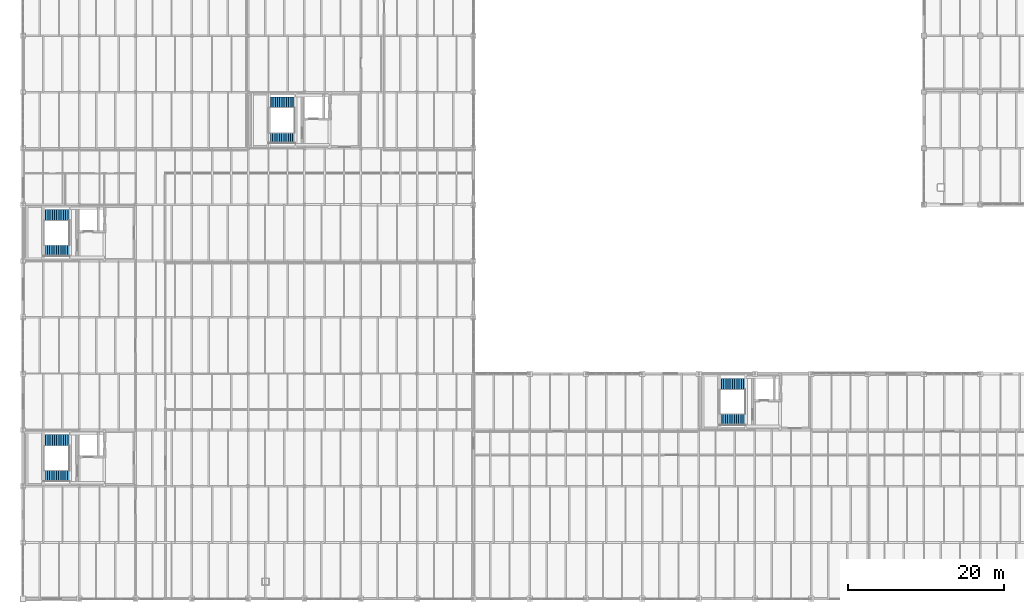
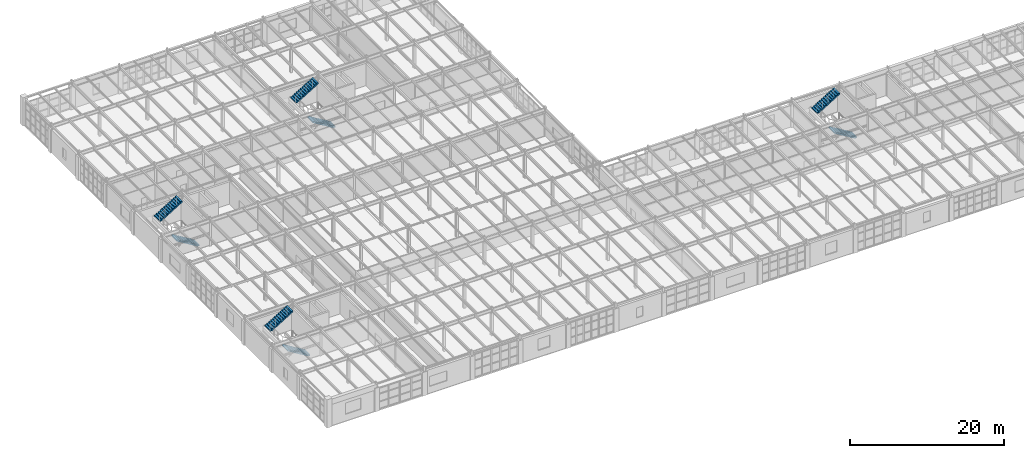
# One storey, part 133 of 137: 8 stair flights, 4 elements without a shape of their own.
"""IFC4 building model written with IfcOpenShell, lengths in metres."""

from ifc_helpers import new_model, si_unit, direction, frame, origin, place, context, subcontext, project, spatial, polyline, outline, extrude, material, layer, layer_set, type_object, element, aggregate, save


model = new_model("IFC4")

# Units and contexts
model_context = context("Model", 3, precision=1e-05, world=origin(), true_north=direction((0.0, 1.0)))
body_context = subcontext(model_context, "Body", "Model", "MODEL_VIEW")
ifc_project = project(units=[si_unit("LENGTHUNIT", "METRE"), si_unit("AREAUNIT", "SQUARE_METRE"), si_unit("VOLUMEUNIT", "CUBIC_METRE"), si_unit("PLANEANGLEUNIT", "RADIAN"), si_unit("MASSUNIT", "GRAM", prefix="KILO")], contexts=[model_context])

# Site, building, storey
site_placement = place(None, origin())
site = spatial("IfcSite", under=ifc_project, at=site_placement, CompositionType="ELEMENT")
building_placement = place(site_placement, origin())
building = spatial("IfcBuilding", under=site, at=building_placement, Name="Kemerveld Promenade Tramway Depot", CompositionType="ELEMENT")
storey_placement = place(building_placement, frame((0.0, 0.0, 5.39990234375)))
storey = spatial("IfcBuildingStorey", under=building, at=storey_placement, Name="L01", CompositionType="ELEMENT", Elevation=5.39990234375)

# Stair, stair flights
ifc_material = material(Name="Concrete C40/50", Category="concrete")
stair_type_1 = type_object("IfcStairType", Name="STR-HT-TYP", PredefinedType="HALF_TURN_STAIR", material=ifc_material)
stair_1_placement = place(storey_placement, origin())
stair_1 = element("IfcStair", 1, at=stair_1_placement, inside=storey, type_object=stair_type_1, Name="ST-01-L01", PredefinedType="HALF_TURN_STAIR")
ifc_layer_1 = layer(ifc_material, 0.159912109375)
ifc_layer_set_1 = layer_set([ifc_layer_1], Name="FLT-02")
stair_flight_type_1 = type_object("IfcStairFlightType", Name="FLT-02", PredefinedType="STRAIGHT", material=ifc_layer_set_1)
stair_flight_1_placement = place(storey_placement, frame((5.97998046875, 15.719970703125, 0.0), z_axis=(0.0, 0.0, 1.0), x_axis=(-1.0, 0.0, 0.0)))
stair_flight_1 = element("IfcStairFlight", 2, at=stair_flight_1_placement, type_object=stair_flight_type_1, Name="ST-01-L01 flight 1", NumberOfRisers=13, NumberOfTreads=12, PredefinedType="STRAIGHT", RiserHeight=0.173076923, TreadLength=0.285, context=body_context, shape_type="SweptSolid", body=[
    extrude(outline(polyline([(0.0, 0.0), (0.0, 0.173095703125), (0.284912109375, 0.173095703125), (0.284912109375, 0.34619140625), (0.570068359375, 0.34619140625), (0.570068359375, 0.519287109375), (0.85498046875, 0.519287109375), (0.85498046875, 0.6923828125), (1.139892578125, 0.6923828125), (1.139892578125, 0.865478515625), (1.425048828125, 0.865478515625), (1.425048828125, 1.03857421875), (1.7099609375, 1.03857421875), (1.7099609375, 1.21142578125), (1.9951171875, 1.21142578125), (1.9951171875, 1.384521484375), (2.280029296875, 1.384521484375), (2.280029296875, 1.5576171875), (2.56494140625, 1.5576171875), (2.56494140625, 1.730712890625), (2.85009765625, 1.730712890625), (2.85009765625, 1.90380859375), (3.135009765625, 1.90380859375), (3.135009765625, 2.076904296875), (3.419921875, 2.076904296875), (3.419921875, 2.25), (3.419921875, 1.889892578125), (0.30810546875, 0.0), (0.0, 0.0)])), frame((0.0, 0.72509765625, 0.0), z_axis=(0.0, -1.0, 0.0), x_axis=(1.0, 0.0, 0.0)), (0.0, 0.0, 1.0), 1.449951171875),
])
stair_flight_2_placement = place(storey_placement, frame((2.610107421875, 20.280029296875, 2.25), z_axis=(0.0, 0.0, 1.0), x_axis=(1.0, 0.0, 0.0)))
stair_flight_2 = element("IfcStairFlight", 3, at=stair_flight_2_placement, type_object=stair_flight_type_1, Name="ST-01-L01 flight 2", NumberOfRisers=13, NumberOfTreads=12, PredefinedType="STRAIGHT", RiserHeight=0.173076923, TreadLength=0.285, context=body_context, shape_type="SweptSolid", body=[
    extrude(outline(polyline([(0.0, 0.0), (0.0, 0.173095703125), (0.284912109375, 0.173095703125), (0.284912109375, 0.34619140625), (0.570068359375, 0.34619140625), (0.570068359375, 0.519287109375), (0.85498046875, 0.519287109375), (0.85498046875, 0.6923828125), (1.139892578125, 0.6923828125), (1.139892578125, 0.865478515625), (1.425048828125, 0.865478515625), (1.425048828125, 1.03857421875), (1.7099609375, 1.03857421875), (1.7099609375, 1.21142578125), (1.9951171875, 1.21142578125), (1.9951171875, 1.384521484375), (2.280029296875, 1.384521484375), (2.280029296875, 1.5576171875), (2.56494140625, 1.5576171875), (2.56494140625, 1.730712890625), (2.85009765625, 1.730712890625), (2.85009765625, 1.90380859375), (3.135009765625, 1.90380859375), (3.135009765625, 2.076904296875), (3.419921875, 2.076904296875), (3.419921875, 2.25), (3.419921875, 1.889892578125), (0.30810546875, 0.0), (0.0, 0.0)])), frame((0.0, 0.72509765625, 0.0), z_axis=(0.0, -1.0, 0.0), x_axis=(1.0, 0.0, 0.0)), (0.0, 0.0, 1.0), 1.449951171875),
])
aggregate(stair_1, [stair_flight_1, stair_flight_2])

stair_2_placement = place(storey_placement, origin())
stair_2 = element("IfcStair", 4, at=stair_2_placement, inside=storey, type_object=stair_type_1, Name="ST-02-L01", PredefinedType="HALF_TURN_STAIR")
stair_flight_3_placement = place(storey_placement, frame((5.97998046875, 44.52001953125, 0.0), z_axis=(0.0, 0.0, 1.0), x_axis=(-1.0, 0.0, 0.0)))
stair_flight_3 = element("IfcStairFlight", 5, at=stair_flight_3_placement, type_object=stair_flight_type_1, Name="ST-02-L01 flight 1", NumberOfRisers=13, NumberOfTreads=12, PredefinedType="STRAIGHT", RiserHeight=0.173076923, TreadLength=0.285, context=body_context, shape_type="SweptSolid", body=[
    extrude(outline(polyline([(0.0, 0.0), (0.0, 0.173095703125), (0.284912109375, 0.173095703125), (0.284912109375, 0.34619140625), (0.570068359375, 0.34619140625), (0.570068359375, 0.519287109375), (0.85498046875, 0.519287109375), (0.85498046875, 0.6923828125), (1.139892578125, 0.6923828125), (1.139892578125, 0.865478515625), (1.425048828125, 0.865478515625), (1.425048828125, 1.03857421875), (1.7099609375, 1.03857421875), (1.7099609375, 1.21142578125), (1.9951171875, 1.21142578125), (1.9951171875, 1.384521484375), (2.280029296875, 1.384521484375), (2.280029296875, 1.5576171875), (2.56494140625, 1.5576171875), (2.56494140625, 1.730712890625), (2.85009765625, 1.730712890625), (2.85009765625, 1.90380859375), (3.135009765625, 1.90380859375), (3.135009765625, 2.076904296875), (3.419921875, 2.076904296875), (3.419921875, 2.25), (3.419921875, 1.889892578125), (0.30810546875, 0.0), (0.0, 0.0)])), frame((0.0, 0.72509765625, 0.0), z_axis=(0.0, -1.0, 0.0), x_axis=(1.0, 0.0, 0.0)), (0.0, 0.0, 1.0), 1.449951171875),
])
stair_flight_4_placement = place(storey_placement, frame((2.610107421875, 49.080078125, 2.25), z_axis=(0.0, 0.0, 1.0), x_axis=(1.0, 0.0, 0.0)))
stair_flight_4 = element("IfcStairFlight", 6, at=stair_flight_4_placement, type_object=stair_flight_type_1, Name="ST-02-L01 flight 2", NumberOfRisers=13, NumberOfTreads=12, PredefinedType="STRAIGHT", RiserHeight=0.173076923, TreadLength=0.285, context=body_context, shape_type="SweptSolid", body=[
    extrude(outline(polyline([(0.0, 0.0), (0.0, 0.173095703125), (0.284912109375, 0.173095703125), (0.284912109375, 0.34619140625), (0.570068359375, 0.34619140625), (0.570068359375, 0.519287109375), (0.85498046875, 0.519287109375), (0.85498046875, 0.6923828125), (1.139892578125, 0.6923828125), (1.139892578125, 0.865478515625), (1.425048828125, 0.865478515625), (1.425048828125, 1.03857421875), (1.7099609375, 1.03857421875), (1.7099609375, 1.21142578125), (1.9951171875, 1.21142578125), (1.9951171875, 1.384521484375), (2.280029296875, 1.384521484375), (2.280029296875, 1.5576171875), (2.56494140625, 1.5576171875), (2.56494140625, 1.730712890625), (2.85009765625, 1.730712890625), (2.85009765625, 1.90380859375), (3.135009765625, 1.90380859375), (3.135009765625, 2.076904296875), (3.419921875, 2.076904296875), (3.419921875, 2.25), (3.419921875, 1.889892578125), (0.30810546875, 0.0), (0.0, 0.0)])), frame((0.0, 0.72509765625, 0.0), z_axis=(0.0, -1.0, 0.0), x_axis=(1.0, 0.0, 0.0)), (0.0, 0.0, 1.0), 1.449951171875),
])
aggregate(stair_2, [stair_flight_3, stair_flight_4])

stair_3_placement = place(storey_placement, origin())
stair_3 = element("IfcStair", 7, at=stair_3_placement, inside=storey, type_object=stair_type_1, Name="ST-04-L01", PredefinedType="HALF_TURN_STAIR")
stair_flight_5_placement = place(storey_placement, frame((92.3798828125, 22.919921875, 0.0), z_axis=(0.0, 0.0, 1.0), x_axis=(-1.0, 0.0, 0.0)))
stair_flight_5 = element("IfcStairFlight", 8, at=stair_flight_5_placement, type_object=stair_flight_type_1, Name="ST-04-L01 flight 1", NumberOfRisers=13, NumberOfTreads=12, PredefinedType="STRAIGHT", RiserHeight=0.173076923, TreadLength=0.285, context=body_context, shape_type="SweptSolid", body=[
    extrude(outline(polyline([(0.0, 0.0), (0.0, 0.173095703125), (0.284912109375, 0.173095703125), (0.284912109375, 0.34619140625), (0.570068359375, 0.34619140625), (0.570068359375, 0.519287109375), (0.85498046875, 0.519287109375), (0.85498046875, 0.6923828125), (1.139892578125, 0.6923828125), (1.139892578125, 0.865478515625), (1.425048828125, 0.865478515625), (1.425048828125, 1.03857421875), (1.7099609375, 1.03857421875), (1.7099609375, 1.21142578125), (1.9951171875, 1.21142578125), (1.9951171875, 1.384521484375), (2.280029296875, 1.384521484375), (2.280029296875, 1.5576171875), (2.56494140625, 1.5576171875), (2.56494140625, 1.730712890625), (2.85009765625, 1.730712890625), (2.85009765625, 1.90380859375), (3.135009765625, 1.90380859375), (3.135009765625, 2.076904296875), (3.419921875, 2.076904296875), (3.419921875, 2.25), (3.419921875, 1.889892578125), (0.30810546875, 0.0), (0.0, 0.0)])), frame((0.0, 0.72509765625, 0.0), z_axis=(0.0, -1.0, 0.0), x_axis=(1.0, 0.0, 0.0)), (0.0, 0.0, 1.0), 1.449951171875),
])
stair_flight_6_placement = place(storey_placement, frame((89.010009765625, 27.47998046875, 2.25), z_axis=(0.0, 0.0, 1.0), x_axis=(1.0, 0.0, 0.0)))
stair_flight_6 = element("IfcStairFlight", 9, at=stair_flight_6_placement, type_object=stair_flight_type_1, Name="ST-04-L01 flight 2", NumberOfRisers=13, NumberOfTreads=12, PredefinedType="STRAIGHT", RiserHeight=0.173076923, TreadLength=0.285, context=body_context, shape_type="SweptSolid", body=[
    extrude(outline(polyline([(0.0, 0.0), (0.0, 0.173095703125), (0.284912109375, 0.173095703125), (0.284912109375, 0.34619140625), (0.570068359375, 0.34619140625), (0.570068359375, 0.519287109375), (0.85498046875, 0.519287109375), (0.85498046875, 0.6923828125), (1.139892578125, 0.6923828125), (1.139892578125, 0.865478515625), (1.425048828125, 0.865478515625), (1.425048828125, 1.03857421875), (1.7099609375, 1.03857421875), (1.7099609375, 1.21142578125), (1.9951171875, 1.21142578125), (1.9951171875, 1.384521484375), (2.280029296875, 1.384521484375), (2.280029296875, 1.5576171875), (2.56494140625, 1.5576171875), (2.56494140625, 1.730712890625), (2.85009765625, 1.730712890625), (2.85009765625, 1.90380859375), (3.135009765625, 1.90380859375), (3.135009765625, 2.076904296875), (3.419921875, 2.076904296875), (3.419921875, 2.25), (3.419921875, 1.889892578125), (0.30810546875, 0.0), (0.0, 0.0)])), frame((0.0, 0.72509765625, 0.0), z_axis=(0.0, -1.0, 0.0), x_axis=(1.0, 0.0, 0.0)), (0.0, 0.0, 1.0), 1.449951171875),
])
aggregate(stair_3, [stair_flight_5, stair_flight_6])

stair_type_2 = type_object("IfcStairType", Name="STR-HT-NARROW", PredefinedType="HALF_TURN_STAIR", material=ifc_material)
stair_4_placement = place(storey_placement, origin())
stair_4 = element("IfcStair", 10, at=stair_4_placement, inside=storey, type_object=stair_type_2, Name="ST-03-L01", PredefinedType="HALF_TURN_STAIR")
ifc_layer_2 = layer(ifc_material, 0.159912109375)
ifc_layer_set_2 = layer_set([ifc_layer_2], Name="FLT-03")
stair_flight_type_2 = type_object("IfcStairFlightType", Name="FLT-03", PredefinedType="STRAIGHT", material=ifc_layer_set_2)
stair_flight_7_placement = place(storey_placement, frame((34.780029296875, 58.919921875, 0.0), z_axis=(0.0, 0.0, 1.0), x_axis=(-1.0, 0.0, 0.0)))
stair_flight_7 = element("IfcStairFlight", 11, at=stair_flight_7_placement, type_object=stair_flight_type_2, Name="ST-03-L01 flight 1", NumberOfRisers=13, NumberOfTreads=12, PredefinedType="STRAIGHT", RiserHeight=0.173076923, TreadLength=0.285, context=body_context, shape_type="SweptSolid", body=[
    extrude(outline(polyline([(0.0, 0.0), (0.0, 0.173095703125), (0.284912109375, 0.173095703125), (0.284912109375, 0.34619140625), (0.570068359375, 0.34619140625), (0.570068359375, 0.519287109375), (0.85498046875, 0.519287109375), (0.85498046875, 0.6923828125), (1.139892578125, 0.6923828125), (1.139892578125, 0.865478515625), (1.425048828125, 0.865478515625), (1.425048828125, 1.03857421875), (1.7099609375, 1.03857421875), (1.7099609375, 1.21142578125), (1.9951171875, 1.21142578125), (1.9951171875, 1.384521484375), (2.280029296875, 1.384521484375), (2.280029296875, 1.5576171875), (2.56494140625, 1.5576171875), (2.56494140625, 1.730712890625), (2.85009765625, 1.730712890625), (2.85009765625, 1.90380859375), (3.135009765625, 1.90380859375), (3.135009765625, 2.076904296875), (3.419921875, 2.076904296875), (3.419921875, 2.25), (3.419921875, 1.889892578125), (0.30810546875, 0.0), (0.0, 0.0)])), frame((0.0, 0.699951171875, 0.0), z_axis=(0.0, -1.0, 0.0), x_axis=(1.0, 0.0, 0.0)), (0.0, 0.0, 1.0), 1.39990234375),
])
stair_flight_8_placement = place(storey_placement, frame((31.409912109375, 63.47998046875, 2.25), z_axis=(0.0, 0.0, 1.0), x_axis=(1.0, 0.0, 0.0)))
stair_flight_8 = element("IfcStairFlight", 12, at=stair_flight_8_placement, type_object=stair_flight_type_2, Name="ST-03-L01 flight 2", NumberOfRisers=13, NumberOfTreads=12, PredefinedType="STRAIGHT", RiserHeight=0.173076923, TreadLength=0.285, context=body_context, shape_type="SweptSolid", body=[
    extrude(outline(polyline([(0.0, 0.0), (0.0, 0.173095703125), (0.284912109375, 0.173095703125), (0.284912109375, 0.34619140625), (0.570068359375, 0.34619140625), (0.570068359375, 0.519287109375), (0.85498046875, 0.519287109375), (0.85498046875, 0.6923828125), (1.139892578125, 0.6923828125), (1.139892578125, 0.865478515625), (1.425048828125, 0.865478515625), (1.425048828125, 1.03857421875), (1.7099609375, 1.03857421875), (1.7099609375, 1.21142578125), (1.9951171875, 1.21142578125), (1.9951171875, 1.384521484375), (2.280029296875, 1.384521484375), (2.280029296875, 1.5576171875), (2.56494140625, 1.5576171875), (2.56494140625, 1.730712890625), (2.85009765625, 1.730712890625), (2.85009765625, 1.90380859375), (3.135009765625, 1.90380859375), (3.135009765625, 2.076904296875), (3.419921875, 2.076904296875), (3.419921875, 2.25), (3.419921875, 1.889892578125), (0.30810546875, 0.0), (0.0, 0.0)])), frame((0.0, 0.699951171875, 0.0), z_axis=(0.0, -1.0, 0.0), x_axis=(1.0, 0.0, 0.0)), (0.0, 0.0, 1.0), 1.39990234375),
])
aggregate(stair_4, [stair_flight_7, stair_flight_8])

save(model, "model.ifc")
